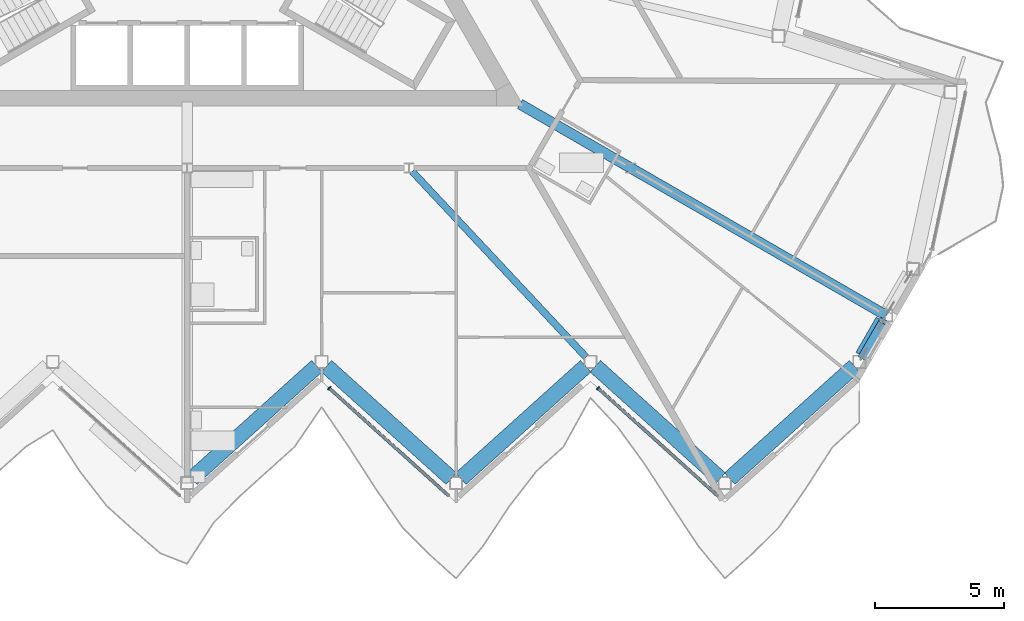
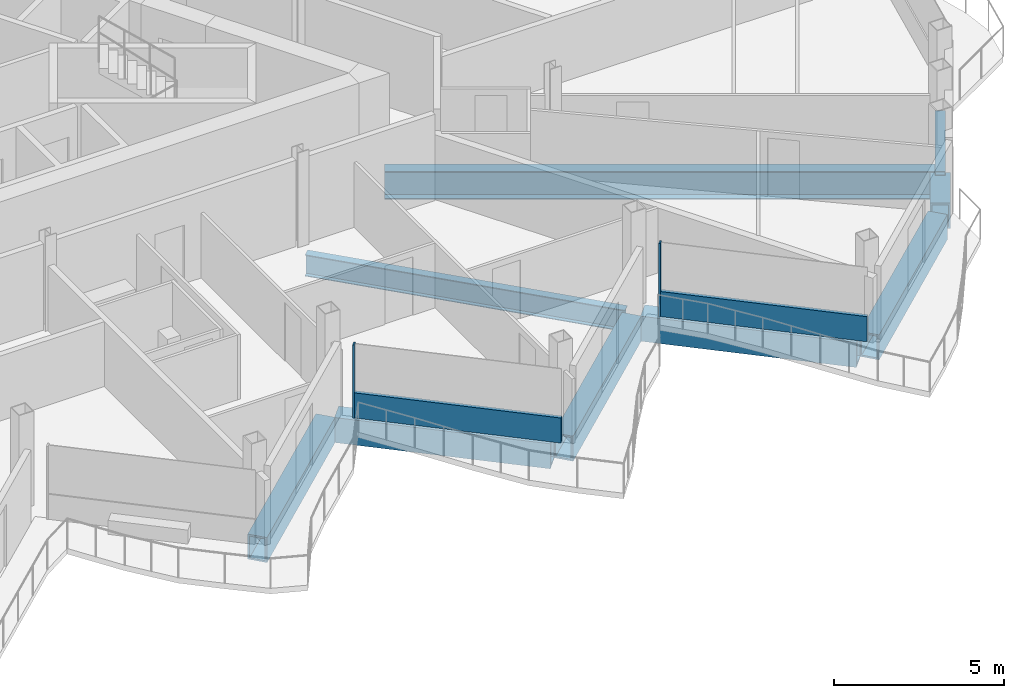
# One storey, part 7 of 27: 7 beams, 6 members, 2 elements without a shape of their own.
"""IFC4 building model written with IfcOpenShell, lengths in metres."""

from ifc_helpers import new_model, si_unit, direction, frame, origin, origin_2d, place, context, subcontext, project, spatial, rectangle, hollow_rectangle, i_section, extrude, material, layer, layer_set, material_profile, profile_set, type_object, element, aggregate, save


model = new_model("IFC4")

# Units and contexts
model_context = context("Model", 3, precision=1e-05, world=origin(), true_north=direction((0.0, 1.0)))
body_context = subcontext(model_context, "Body", "Model", "MODEL_VIEW")
ifc_project = project(units=[si_unit("LENGTHUNIT", "METRE"), si_unit("AREAUNIT", "SQUARE_METRE"), si_unit("VOLUMEUNIT", "CUBIC_METRE"), si_unit("PLANEANGLEUNIT", "RADIAN"), si_unit("MASSUNIT", "GRAM", prefix="KILO")], contexts=[model_context])

# Site, building, storey
site_placement = place(None, origin())
site = spatial("IfcSite", under=ifc_project, at=site_placement, CompositionType="ELEMENT")
building_placement = place(site_placement, origin())
building = spatial("IfcBuilding", under=site, at=building_placement, Name="Cormorant Prow Tower", CompositionType="ELEMENT")
storey_placement = place(building_placement, frame((0.0, 0.0, 361.0)))
storey = spatial("IfcBuildingStorey", under=building, at=storey_placement, Name="L80", CompositionType="ELEMENT", Elevation=361.0)

# Beams
ifc_material_1 = material(Name="Structural steel ASTM A572 Gr 50", Category="steel")
ifc_material_profile_1 = material_profile(ifc_material_1, hollow_rectangle(XDim=0.60009765625, YDim=0.89990234375, WallThickness=0.06005859375, at=origin_2d()), Name="Box 900x600x60")
ifc_profile_set_1 = profile_set([ifc_material_profile_1], Name="Structural steel ASTM A572 Gr 50")
beam_type_1 = type_object("IfcBeamType", Name="Belt truss top chord 900x600x60", PredefinedType="BEAM", material=ifc_profile_set_1)
for number, where, z_axis, x_axis, name in (
    (1, (0.185791015625, -21.920654296875, -0.75), (0.743131573737, 0.669145323614, 0.0), (-0.669145323614, 0.743131573737, 0.0), "Belt truss top chord TC2 S05-S06 L80"),
    (2, (5.3857421875, -17.572998046875, -0.75), (0.743131573737, -0.669145323614, 0.0), (0.669145323614, 0.743131573737, 0.0), "Belt truss top chord TC2 S06-S07 L80"),
):
    element("IfcBeam", number, at=place(storey_placement, frame(where, z_axis=z_axis, x_axis=x_axis)), inside=storey, type_object=beam_type_1, Name=name, PredefinedType="BEAM", context=body_context, shape_type="SweptSolid", body=[
        extrude(hollow_rectangle(XDim=0.60009765625, YDim=0.89990234375, WallThickness=0.06005859375, at=origin_2d()), origin(), (0.0, 0.0, 1.0), 6.497314453125),
    ])
beam_1_placement = place(storey_placement, frame((10.585693359375, -21.920654296875, -0.75), z_axis=(0.743148397689, 0.669126638995, 0.0), x_axis=(-0.669126638995, 0.743148397689, 0.0)))
element("IfcBeam", 3, at=beam_1_placement, inside=storey, type_object=beam_type_1, Name="Belt truss top chord TC2 S07-S08 L80", PredefinedType="BEAM", context=body_context, shape_type="SweptSolid", body=[
    extrude(hollow_rectangle(XDim=0.60009765625, YDim=0.89990234375, WallThickness=0.06005859375, at=origin_2d()), origin(), (0.0, 0.0, 1.0), 6.49755859375),
])
for number, where, z_axis, x_axis, name in (
    (4, (15.785888671875, -17.572998046875, -0.75), (0.743131573737, -0.669145323614, 0.0), (0.669145323614, 0.743131573737, 0.0), "Belt truss top chord TC2 S08-S09 L80"),
    (5, (20.98583984375, -21.920654296875, -0.75), (0.743131573737, 0.669145323614, 0.0), (-0.669145323614, 0.743131573737, 0.0), "Belt truss top chord TC2 S09-ESE00 L80"),
):
    element("IfcBeam", number, at=place(storey_placement, frame(where, z_axis=z_axis, x_axis=x_axis)), inside=storey, type_object=beam_type_1, Name=name, PredefinedType="BEAM", context=body_context, shape_type="SweptSolid", body=[
        extrude(hollow_rectangle(XDim=0.60009765625, YDim=0.89990234375, WallThickness=0.06005859375, at=origin_2d()), origin(), (0.0, 0.0, 1.0), 6.497314453125),
    ])
beam_2_placement = place(storey_placement, frame((26.125, -17.189208984375, -0.75), z_axis=(0.499959680857, 0.866048680801, 0.0), x_axis=(-0.866048680801, 0.499959680857, 0.0)))
element("IfcBeam", 6, at=beam_2_placement, inside=storey, type_object=beam_type_1, Name="Belt truss top chord TC2 ESE00-ESE01 L80", PredefinedType="BEAM", context=body_context, shape_type="SweptSolid", body=[
    extrude(hollow_rectangle(XDim=0.60009765625, YDim=0.89990234375, WallThickness=0.06005859375, at=origin_2d()), origin(), (0.0, 0.0, 1.0), 1.573974609375),
])

# Members
ifc_material_2 = material(Name="Structural steel ASTM A500 Gr C", Category="steel")
ifc_material_profile_2 = material_profile(ifc_material_2, hollow_rectangle(XDim=0.3046875, YDim=0.3046875, WallThickness=0.01171875, at=origin_2d()), Name="HSS12x12x1/2")
ifc_profile_set_2 = profile_set([ifc_material_profile_2], Name="Structural steel ASTM A500 Gr C")
member_type_1 = type_object("IfcMemberType", Name="Chamfer brace HSS12x12x1/2", PredefinedType="BRACE", material=ifc_profile_set_2)
member_1_placement = place(storey_placement, frame((26.123291015625, -17.192138671875, 0.7705078125), z_axis=(0.411298537745, 0.71230756954, 0.568727913175), x_axis=(-0.866000359435, 0.500043375578, 0.0)))
element("IfcMember", 7, at=member_1_placement, inside=storey, type_object=member_type_1, Name="Chamfer brace BR3 at ESE00 L80", PredefinedType="BRACE", context=body_context, shape_type="SweptSolid", body=[
    extrude(hollow_rectangle(XDim=0.3046875, YDim=0.3046875, WallThickness=0.01171875, at=origin_2d()), origin(), (0.0, 0.0, 1.0), 1.92138671875),
])
ifc_material_3 = material(Name="Structural steel ASTM A992 Gr 50", Category="steel")
ifc_material_profile_3 = material_profile(ifc_material_3, i_section(OverallWidth=0.39990234375, OverallDepth=1.000244140625, WebThickness=0.01904296875, FlangeThickness=0.0361328125, at=origin_2d()), Name="W40x249")
ifc_profile_set_3 = profile_set([ifc_material_profile_3], Name="Structural steel ASTM A992 Gr 50")
member_type_2 = type_object("IfcMemberType", Name="Outrigger chord W40x249", PredefinedType="CHORD", material=ifc_profile_set_3)
member_2_placement = place(storey_placement, frame((12.8701171875, -7.430419921875, -0.800048828125), z_axis=(0.8660183213, -0.500012267022, 0.0), x_axis=(0.500012267022, 0.8660183213, 0.0)))
element("IfcMember", 8, at=member_2_placement, inside=storey, type_object=member_type_2, Name="Outrigger top chord 5 L80", PredefinedType="CHORD", context=body_context, shape_type="SweptSolid", body=[
    extrude(i_section(OverallWidth=0.39990234375, OverallDepth=1.000244140625, WebThickness=0.01904296875, FlangeThickness=0.0361328125, at=origin_2d()), origin(), (0.0, 0.0, 1.0), 16.3583984375),
])

# Beam
ifc_material_4 = material(Name="Structural steel ASTM A992 Gr 50", Category="steel")
ifc_material_profile_4 = material_profile(ifc_material_4, i_section(OverallWidth=0.267822265625, OverallDepth=0.77001953125, WebThickness=0.015625, FlangeThickness=0.025390625, at=origin_2d()), Name="W30x132")
ifc_profile_set_4 = profile_set([ifc_material_profile_4], Name="Structural steel ASTM A992 Gr 50")
beam_type_2 = type_object("IfcBeamType", Name="Radial floor beam W30x132", PredefinedType="BEAM", material=ifc_profile_set_4)
beam_3_placement = place(storey_placement, frame((8.706298828125, -10.0419921875, -0.68505859375), z_axis=(0.683430760659, -0.730015339144, 0.0), x_axis=(0.730015339144, 0.683430760659, 0.0)))
element("IfcBeam", 9, at=beam_3_placement, inside=storey, type_object=beam_type_2, Name="Radial floor beam FB3 8 L80", PredefinedType="BEAM", context=body_context, shape_type="SweptSolid", body=[
    extrude(i_section(OverallWidth=0.267822265625, OverallDepth=0.77001953125, WebThickness=0.015625, FlangeThickness=0.025390625, at=origin_2d()), origin(), (0.0, 0.0, 1.0), 9.8369140625),
])

# Curtain wall, member
ifc_material_5 = material(Name="Aluminium 6063-T6", Category="aluminium")
ifc_layer = layer(ifc_material_5, 0.159912109375)
ifc_layer_set = layer_set([ifc_layer], Name="Aluminium 6063-T6")
curtain_wall_type = type_object("IfcCurtainWallType", Name="Residential unitised curtain wall 160", PredefinedType="NOTDEFINED", material=ifc_layer_set)
curtain_wall_1_placement = place(storey_placement, origin())
curtain_wall_1 = element("IfcCurtainWall", 10, at=curtain_wall_1_placement, inside=storey, type_object=curtain_wall_type, Name="Residential curtain wall S06", PredefinedType="NOTDEFINED")
ifc_material_6 = material(Name="Aluminium 6063-T6", Category="aluminium")
ifc_material_profile_5 = material_profile(ifc_material_6, rectangle(XDim=0.159912109375, YDim=0.050048828125, at=origin_2d()), Name="Residential mullion 50x160")
ifc_profile_set_5 = profile_set([ifc_material_profile_5], Name="Aluminium 6063-T6")
member_type_3 = type_object("IfcMemberType", Name="Residential mullion 50x160", PredefinedType="MULLION", material=ifc_profile_set_5)
member_3_placement = place(storey_placement, frame((5.490478515625, -18.4189453125, 0.0), z_axis=(0.0, 0.0, 1.0), x_axis=(0.669130682884, 0.743144756574, 0.0)))
member_3 = element("IfcMember", 11, at=member_3_placement, type_object=member_type_3, Name="Residential mullion S06", PredefinedType="MULLION", context=body_context, shape_type="SweptSolid", body=[
    extrude(rectangle(XDim=0.159912109375, YDim=0.050048828125, at=origin_2d()), origin(), (0.0, 0.0, 1.0), 2.6337890625),
])

curtain_wall_2_placement = place(storey_placement, origin())
curtain_wall_2 = element("IfcCurtainWall", 12, at=curtain_wall_2_placement, inside=storey, type_object=curtain_wall_type, Name="Residential curtain wall S08", PredefinedType="NOTDEFINED")
member_4_placement = place(storey_placement, frame((15.890625, -18.4189453125, 0.0), z_axis=(0.0, 0.0, 1.0), x_axis=(0.669130682884, 0.743144756574, 0.0)))
member_4 = element("IfcMember", 13, at=member_4_placement, type_object=member_type_3, Name="Residential mullion S08", PredefinedType="MULLION", context=body_context, shape_type="SweptSolid", body=[
    extrude(rectangle(XDim=0.159912109375, YDim=0.050048828125, at=origin_2d()), origin(), (0.0, 0.0, 1.0), 2.6337890625),
])

# Member
ifc_material_7 = material(Name="Terracotta", Category="masonry")
ifc_material_profile_6 = material_profile(ifc_material_7, rectangle(XDim=0.1201171875, YDim=0.89990234375, at=origin_2d()), Name="Residential terracotta spandrel rail 120x900")
ifc_profile_set_6 = profile_set([ifc_material_profile_6], Name="Terracotta")
member_type_4 = type_object("IfcMemberType", Name="Residential terracotta spandrel rail 120x900", PredefinedType="USERDEFINED", material=ifc_profile_set_6)
member_5_placement = place(storey_placement, frame((5.509033203125, -18.435791015625, 0.449951171875), z_axis=(0.743159360055, -0.669114463723, 0.0), x_axis=(0.669114463723, 0.743159360055, 0.0)))
member_5 = element("IfcMember", 14, at=member_5_placement, type_object=member_type_4, Name="Residential spandrel rail S06", ObjectType="TRANSOM", PredefinedType="USERDEFINED", context=body_context, shape_type="SweptSolid", body=[
    extrude(rectangle(XDim=0.1201171875, YDim=0.89990234375, at=origin_2d()), origin(), (0.0, 0.0, 1.0), 6.21533203125),
])

aggregate(curtain_wall_1, [member_3, member_5])

member_6_placement = place(storey_placement, frame((15.9091796875, -18.435791015625, 0.449951171875), z_axis=(0.743159360055, -0.669114463723, 0.0), x_axis=(0.669114463723, 0.743159360055, 0.0)))
member_6 = element("IfcMember", 15, at=member_6_placement, type_object=member_type_4, Name="Residential spandrel rail S08", ObjectType="TRANSOM", PredefinedType="USERDEFINED", context=body_context, shape_type="SweptSolid", body=[
    extrude(rectangle(XDim=0.1201171875, YDim=0.89990234375, at=origin_2d()), origin(), (0.0, 0.0, 1.0), 6.21533203125),
])

aggregate(curtain_wall_2, [member_4, member_6])

save(model, "model.ifc")
